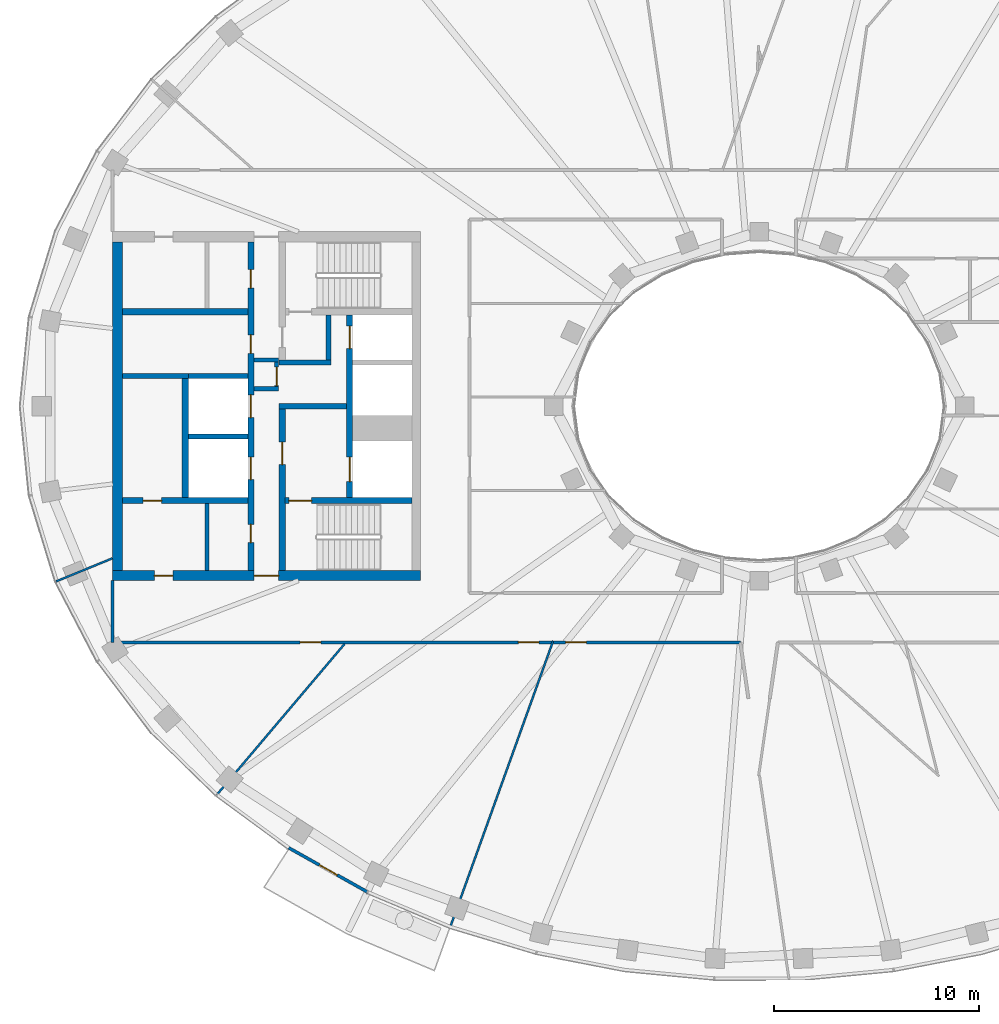
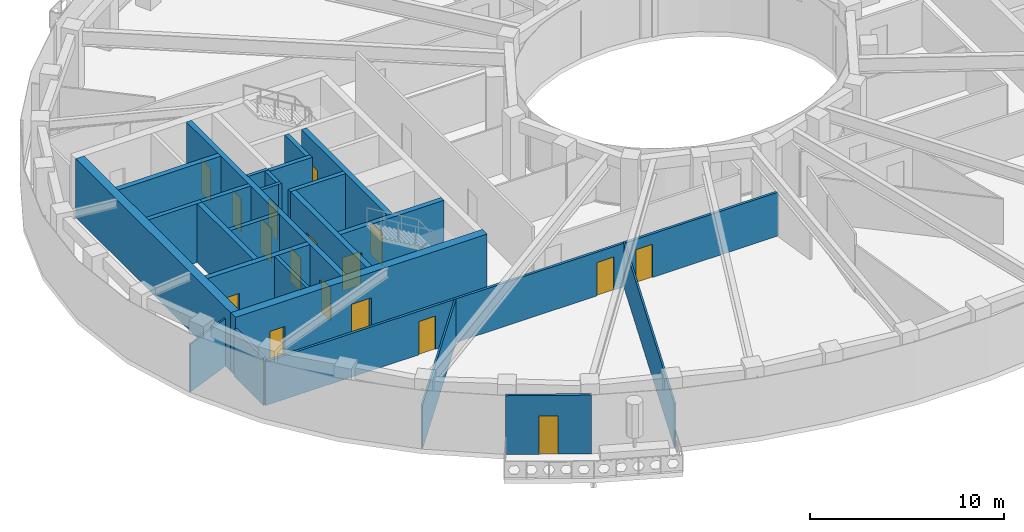
# One storey, part 3 of 15: 26 walls, 17 doors, 17 openings.
"""IFC4 building model written with IfcOpenShell, lengths in metres."""

from ifc_helpers import new_model, si_unit, direction, frame, frame_2d, origin, place, context, subcontext, project, spatial, rectangle, extrude, material, layer, layer_set, type_object, element, fill, save


model = new_model("IFC4")

# Units and contexts
model_context = context("Model", 3, precision=1e-05, world=origin(), true_north=direction((0.0, 1.0)))
body_context = subcontext(model_context, "Body", "Model", "MODEL_VIEW")
ifc_project = project(units=[si_unit("LENGTHUNIT", "METRE"), si_unit("AREAUNIT", "SQUARE_METRE"), si_unit("VOLUMEUNIT", "CUBIC_METRE"), si_unit("PLANEANGLEUNIT", "RADIAN"), si_unit("MASSUNIT", "GRAM", prefix="KILO")], contexts=[model_context])

# Site, building, storey
site_placement = place(None, origin())
site = spatial("IfcSite", under=ifc_project, at=site_placement, CompositionType="ELEMENT")
building_placement = place(site_placement, origin())
building = spatial("IfcBuilding", under=site, at=building_placement, Name="Noorbagh Ring Tower", CompositionType="ELEMENT")
storey_placement = place(building_placement, frame((0.0, 0.0, 295.0)))
storey = spatial("IfcBuildingStorey", under=building, at=storey_placement, Name="L63", CompositionType="ELEMENT", Elevation=295.0)

# Walls
ifc_material_1 = material(Name="Gypsum board on steel studs", Category="steel")
ifc_layer_1 = layer(ifc_material_1, 0.199951171875)
ifc_layer_set_1 = layer_set([ifc_layer_1], Name="Gypsum board on steel studs")
wall_type_1 = type_object("IfcWallType", Name="CORE-PARTITION-200", PredefinedType="PARTITIONING", material=ifc_layer_set_1)
for number, where, z_axis, x_axis, name in (
    (1, (-23.39990234375, 0.85009765625, 0.0), (0.0, 0.0, 1.0), (-1.0, 0.0, 0.0), "Core partition W"),
    (2, (-23.39990234375, 2.25, 0.0), (0.0, 0.0, 1.0), (-1.0, 0.0, 0.0), "Core partition W"),
):
    element("IfcWall", number, at=place(storey_placement, frame(where, z_axis=z_axis, x_axis=x_axis)), inside=storey, type_object=wall_type_1, Name=name, PredefinedType="PARTITIONING", context=body_context, shape_type="SweptSolid", body=[
        extrude(rectangle(XDim=1.2001953125, YDim=0.199951171875, at=frame_2d((0.60009765625, 0.0))), origin(), (0.0, 0.0, 1.0), 3.699951171875),
    ])

# Wall, opening, door
wall_1_placement = place(storey_placement, frame((-23.5, 0.75, 0.0), z_axis=(0.0, 0.0, 1.0), x_axis=(0.0, 1.0, 0.0)))
wall_1 = element("IfcWall", 3, at=wall_1_placement, inside=storey, type_object=wall_type_1, Name="Core partition W", PredefinedType="PARTITIONING", context=body_context, shape_type="SweptSolid", body=[
    extrude(rectangle(XDim=1.60009765625, YDim=0.199951171875, at=frame_2d((0.800048828125, 0.0))), origin(), (0.0, 0.0, 1.0), 3.699951171875),
])
opening_1_placement = place(wall_1_placement, frame((0.25, 0.0, 0.0)))
opening_1 = element("IfcOpeningElement", 4, at=opening_1_placement, cuts=wall_1, Name="Opening L63-CW16", PredefinedType="OPENING", context=body_context, shape_type="SweptSolid", body=[
    extrude(rectangle(XDim=0.89990234375, YDim=2.10009765625, at=frame_2d((0.449951171875, 1.050048828125))), frame((0.0, 0.10986328125, 0.0), z_axis=(0.0, -1.0, 0.0), x_axis=(1.0, 0.0, 0.0)), (0.0, 0.0, 1.0), 0.219970703125),
])
ifc_material_2 = material(Name="Steel door leaf", Category="steel")
door_type_1 = type_object("IfcDoorType", Name="CORE-DOOR-DROOM", OperationType="SINGLE_SWING_LEFT", PredefinedType="DOOR", material=ifc_material_2)
door_1_placement = place(opening_1_placement, origin())
door_1 = element("IfcDoor", 5, at=door_1_placement, inside=storey, type_object=door_type_1, Name="Core room door L63-CW16", OperationType="SINGLE_SWING_RIGHT", OverallHeight=2.10009765625, OverallWidth=0.89990234375, PredefinedType="DOOR", context=body_context, shape_type="SweptSolid", body=[
    extrude(rectangle(XDim=0.89990234375, YDim=2.10009765625, at=frame_2d((0.449951171875, 1.050048828125))), frame((0.0, 0.02490234375, 0.0), z_axis=(0.0, -1.0, 0.0), x_axis=(1.0, 0.0, 0.0)), (0.0, 0.0, 1.0), 0.050048828125),
])
fill(opening_1, door_1)

# Walls
wall_2_placement = place(storey_placement, frame((-26.89990234375, -8.0, 0.0), z_axis=(0.0, 0.0, 1.0), x_axis=(0.0, 1.0, 0.0)))
element("IfcWall", 6, at=wall_2_placement, inside=storey, type_object=wall_type_1, Name="Core partition W", PredefinedType="PARTITIONING", context=body_context, shape_type="SweptSolid", body=[
    extrude(rectangle(XDim=3.25, YDim=0.199951171875, at=frame_2d((1.625, 0.0))), origin(), (0.0, 0.0, 1.0), 3.699951171875),
])
ifc_material_3 = material(Name="Concrete C50/60", Category="concrete")
ifc_layer_2 = layer(ifc_material_3, 0.25)
ifc_layer_set_2 = layer_set([ifc_layer_2], Name="Concrete C50/60")
wall_type_2 = type_object("IfcWallType", Name="CORE-WALL-250-C50-60-EI120", PredefinedType="SHEAR", material=ifc_layer_set_2)
wall_3_placement = place(storey_placement, frame((-27.800048828125, 1.47509765625, 0.0), z_axis=(0.0, 0.0, 1.0), x_axis=(-1.0, 0.0, 0.0)))
element("IfcWall", 7, at=wall_3_placement, inside=storey, type_object=wall_type_2, Name="Core wall W", PredefinedType="SHEAR", context=body_context, shape_type="SweptSolid", body=[
    extrude(rectangle(XDim=3.199951171875, YDim=0.25, at=frame_2d((1.60009765625, 0.0))), origin(), (0.0, 0.0, 1.0), 3.699951171875),
])
for number, where, z_axis, x_axis, name in (
    (8, (-24.89990234375, -1.47509765625, 0.0), (0.0, 0.0, 1.0), (-1.0, 0.0, 0.0), "Core wall W"),
    (9, (-24.89990234375, 1.47509765625, 0.0), (0.0, 0.0, 1.0), (-1.0, 0.0, 0.0), "Core wall W"),
):
    element("IfcWall", number, at=place(storey_placement, frame(where, z_axis=z_axis, x_axis=x_axis)), inside=storey, type_object=wall_type_2, Name=name, PredefinedType="SHEAR", context=body_context, shape_type="SweptSolid", body=[
        extrude(rectangle(XDim=2.900146484375, YDim=0.25, at=frame_2d((1.4501953125, 0.0))), origin(), (0.0, 0.0, 1.0), 3.699951171875),
    ])
ifc_material_4 = material(Name="Concrete C50/60", Category="concrete")
ifc_layer_3 = layer(ifc_material_4, 0.25)
ifc_layer_set_3 = layer_set([ifc_layer_3], Name="Concrete C50/60")
wall_type_3 = type_object("IfcWallType", Name="CORE-WALL-250-C50-60-EI240", PredefinedType="SHEAR", material=ifc_layer_set_3)
wall_4_placement = place(storey_placement, frame((-20.10009765625, 0.0, 0.0), z_axis=(0.0, 0.0, 1.0), x_axis=(-1.0, 0.0, 0.0)))
element("IfcWall", 10, at=wall_4_placement, inside=storey, type_object=wall_type_3, Name="Core wall W", PredefinedType="SHEAR", context=body_context, shape_type="SweptSolid", body=[
    extrude(rectangle(XDim=3.27978515625, YDim=0.25, at=frame_2d((1.639892578125, 0.0))), origin(), (0.0, 0.0, 1.0), 3.699951171875),
])
wall_5_placement = place(storey_placement, frame((-20.85009765625, 2.125, 0.0), z_axis=(0.0, 0.0, 1.0), x_axis=(-1.0, 0.0, 0.0)))
element("IfcWall", 11, at=wall_5_placement, inside=storey, type_object=wall_type_3, Name="Core wall W", PredefinedType="SHEAR", context=body_context, shape_type="SweptSolid", body=[
    extrude(rectangle(XDim=2.52978515625, YDim=0.25, at=frame_2d((1.264892578125, 0.0))), origin(), (0.0, 0.0, 1.0), 3.699951171875),
])
wall_6_placement = place(storey_placement, frame((-20.97509765625, 2.25, 0.0), z_axis=(0.0, 0.0, 1.0), x_axis=(0.0, 1.0, 0.0)))
element("IfcWall", 12, at=wall_6_placement, inside=storey, type_object=wall_type_3, Name="Core wall W", PredefinedType="SHEAR", context=body_context, shape_type="SweptSolid", body=[
    extrude(rectangle(XDim=2.199951171875, YDim=0.25, at=frame_2d((1.10009765625, 0.0))), origin(), (0.0, 0.0, 1.0), 3.699951171875),
])
ifc_material_5 = material(Name="Concrete C50/60", Category="concrete")
ifc_layer_4 = layer(ifc_material_5, 0.300048828125)
ifc_layer_set_4 = layer_set([ifc_layer_4], Name="Concrete C50/60")
wall_type_4 = type_object("IfcWallType", Name="CORE-WALL-300-C50-60-EI120", PredefinedType="SHEAR", material=ifc_layer_set_4)
wall_7_placement = place(storey_placement, frame((-27.949951171875, -4.449951171875, 0.0), z_axis=(0.0, 0.0, 1.0), x_axis=(0.0, 1.0, 0.0)))
element("IfcWall", 13, at=wall_7_placement, inside=storey, type_object=wall_type_4, Name="Core wall W", PredefinedType="SHEAR", context=body_context, shape_type="SweptSolid", body=[
    extrude(rectangle(XDim=5.800048828125, YDim=0.300048828125, at=frame_2d((2.89990234375, 0.0))), origin(), (0.0, 0.0, 1.0), 3.699951171875),
])

# Wall, openings, doors
wall_8_placement = place(storey_placement, frame((-19.949951171875, -4.449951171875, 0.0), z_axis=(0.0, 0.0, 1.0), x_axis=(0.0, 1.0, 0.0)))
wall_8 = element("IfcWall", 14, at=wall_8_placement, inside=storey, type_object=wall_type_4, Name="Core wall W", PredefinedType="SHEAR", context=body_context, shape_type="SweptSolid", body=[
    extrude(rectangle(XDim=8.89990234375, YDim=0.300048828125, at=frame_2d((4.449951171875, 0.0))), origin(), (0.0, 0.0, 1.0), 3.699951171875),
])
opening_2_placement = place(wall_8_placement, frame((0.77490234375, 0.0, 0.0)))
opening_2 = element("IfcOpeningElement", 15, at=opening_2_placement, cuts=wall_8, Name="Opening L63-CW01", PredefinedType="OPENING", context=body_context, shape_type="SweptSolid", body=[
    extrude(rectangle(XDim=1.199951171875, YDim=2.10009765625, at=frame_2d((0.60009765625, 1.050048828125))), frame((0.0, 0.16015625, 0.0), z_axis=(0.0, -1.0, 0.0), x_axis=(1.0, 0.0, 0.0)), (0.0, 0.0, 1.0), 0.320068359375),
])
opening_3_placement = place(wall_8_placement, frame((7.25, 0.0, 0.0)))
opening_3 = element("IfcOpeningElement", 16, at=opening_3_placement, cuts=wall_8, Name="Opening L63-CW02", PredefinedType="OPENING", context=body_context, shape_type="SweptSolid", body=[
    extrude(rectangle(XDim=1.10009765625, YDim=2.10009765625, at=frame_2d((0.550048828125, 1.050048828125))), frame((0.0, 0.16015625, 0.0), z_axis=(0.0, -1.0, 0.0), x_axis=(1.0, 0.0, 0.0)), (0.0, 0.0, 1.0), 0.320068359375),
])
ifc_material_6 = material(Name="Steel door leaf", Category="steel")
door_type_2 = type_object("IfcDoorType", Name="CORE-DOOR-LD", OperationType="DOUBLE_DOOR_SLIDING", PredefinedType="DOOR", material=ifc_material_6)
door_2_placement = place(opening_3_placement, origin())
door_2 = element("IfcDoor", 17, at=door_2_placement, inside=storey, type_object=door_type_2, Name="Landing door HR1 L63-CW02", OperationType="DOUBLE_DOOR_SLIDING", OverallHeight=2.10009765625, OverallWidth=1.10009765625, PredefinedType="DOOR", context=body_context, shape_type="SweptSolid", body=[
    extrude(rectangle(XDim=1.10009765625, YDim=2.10009765625, at=frame_2d((0.550048828125, 1.050048828125))), frame((0.0, 0.02490234375, 0.0), z_axis=(0.0, -1.0, 0.0), x_axis=(1.0, 0.0, 0.0)), (0.0, 0.0, 1.0), 0.050048828125),
])
fill(opening_3, door_2)
ifc_material_7 = material(Name="Steel door leaf", Category="steel")
door_type_3 = type_object("IfcDoorType", Name="CORE-DOOR-LDW", OperationType="DOUBLE_DOOR_SLIDING", PredefinedType="DOOR", material=ifc_material_7)
door_3_placement = place(opening_2_placement, origin())
door_3 = element("IfcDoor", 18, at=door_3_placement, inside=storey, type_object=door_type_3, Name="Landing door FF1 L63-CW01", OperationType="DOUBLE_DOOR_SLIDING", OverallHeight=2.10009765625, OverallWidth=1.199951171875, PredefinedType="DOOR", context=body_context, shape_type="SweptSolid", body=[
    extrude(rectangle(XDim=1.199951171875, YDim=2.10009765625, at=frame_2d((0.60009765625, 1.050048828125))), frame((0.0, 0.02490234375, 0.0), z_axis=(0.0, -1.0, 0.0), x_axis=(1.0, 0.0, 0.0)), (0.0, 0.0, 1.0), 0.050048828125),
])
fill(opening_2, door_3)

wall_9_placement = place(storey_placement, frame((-24.75, -8.0, 0.0), z_axis=(0.0, 0.0, 1.0), x_axis=(0.0, 1.0, 0.0)))
wall_9 = element("IfcWall", 19, at=wall_9_placement, inside=storey, type_object=wall_type_4, Name="Core wall W", PredefinedType="SHEAR", context=body_context, shape_type="SweptSolid", body=[
    extrude(rectangle(XDim=16.0, YDim=0.300048828125, at=frame_2d((8.0, 0.0))), origin(), (0.0, 0.0, 1.0), 3.699951171875),
])
opening_4_placement = place(wall_9_placement, frame((4.425048828125, 0.0, 0.0)))
opening_4 = element("IfcOpeningElement", 20, at=opening_4_placement, cuts=wall_9, Name="Opening L63-CW03", PredefinedType="OPENING", context=body_context, shape_type="SweptSolid", body=[
    extrude(rectangle(XDim=1.10009765625, YDim=2.10009765625, at=frame_2d((0.550048828125, 1.050048828125))), frame((0.0, 0.16015625, 0.0), z_axis=(0.0, -1.0, 0.0), x_axis=(1.0, 0.0, 0.0)), (0.0, 0.0, 1.0), 0.320068359375),
])
opening_5_placement = place(wall_9_placement, frame((7.449951171875, 0.0, 0.0)))
opening_5 = element("IfcOpeningElement", 21, at=opening_5_placement, cuts=wall_9, Name="Opening L63-CW04", PredefinedType="OPENING", context=body_context, shape_type="SweptSolid", body=[
    extrude(rectangle(XDim=1.10009765625, YDim=2.10009765625, at=frame_2d((0.550048828125, 1.050048828125))), frame((0.0, 0.16015625, 0.0), z_axis=(0.0, -1.0, 0.0), x_axis=(1.0, 0.0, 0.0)), (0.0, 0.0, 1.0), 0.320068359375),
])
opening_6_placement = place(wall_9_placement, frame((10.574951171875, 0.0, 0.0)))
opening_6 = element("IfcOpeningElement", 22, at=opening_6_placement, cuts=wall_9, Name="Opening L63-CW11", PredefinedType="OPENING", context=body_context, shape_type="SweptSolid", body=[
    extrude(rectangle(XDim=0.89990234375, YDim=2.10009765625, at=frame_2d((0.449951171875, 1.050048828125))), frame((0.0, 0.16015625, 0.0), z_axis=(0.0, -1.0, 0.0), x_axis=(1.0, 0.0, 0.0)), (0.0, 0.0, 1.0), 0.320068359375),
])
opening_7_placement = place(wall_9_placement, frame((13.75, 0.0, 0.0)))
opening_7 = element("IfcOpeningElement", 23, at=opening_7_placement, cuts=wall_9, Name="Opening L63-CW12", PredefinedType="OPENING", context=body_context, shape_type="SweptSolid", body=[
    extrude(rectangle(XDim=0.89990234375, YDim=2.10009765625, at=frame_2d((0.449951171875, 1.050048828125))), frame((0.0, 0.16015625, 0.0), z_axis=(0.0, -1.0, 0.0), x_axis=(1.0, 0.0, 0.0)), (0.0, 0.0, 1.0), 0.320068359375),
])
opening_8_placement = place(wall_9_placement, frame((1.35009765625, 0.0, 0.0)))
opening_8 = element("IfcOpeningElement", 24, at=opening_8_placement, cuts=wall_9, Name="Opening L63-CW14", PredefinedType="OPENING", context=body_context, shape_type="SweptSolid", body=[
    extrude(rectangle(XDim=0.89990234375, YDim=2.10009765625, at=frame_2d((0.449951171875, 1.050048828125))), frame((0.0, 0.16015625, 0.0), z_axis=(0.0, -1.0, 0.0), x_axis=(1.0, 0.0, 0.0)), (0.0, 0.0, 1.0), 0.320068359375),
])
door_4_placement = place(opening_6_placement, origin())
door_4 = element("IfcDoor", 25, at=door_4_placement, inside=storey, type_object=door_type_1, Name="Core room door L63-CW11", OperationType="SINGLE_SWING_RIGHT", OverallHeight=2.10009765625, OverallWidth=0.89990234375, PredefinedType="DOOR", context=body_context, shape_type="SweptSolid", body=[
    extrude(rectangle(XDim=0.89990234375, YDim=2.10009765625, at=frame_2d((0.449951171875, 1.050048828125))), frame((0.0, 0.02490234375, 0.0), z_axis=(0.0, -1.0, 0.0), x_axis=(1.0, 0.0, 0.0)), (0.0, 0.0, 1.0), 0.050048828125),
])
fill(opening_6, door_4)
door_5_placement = place(opening_7_placement, origin())
door_5 = element("IfcDoor", 26, at=door_5_placement, inside=storey, type_object=door_type_1, Name="Core room door L63-CW12", OperationType="SINGLE_SWING_RIGHT", OverallHeight=2.10009765625, OverallWidth=0.89990234375, PredefinedType="DOOR", context=body_context, shape_type="SweptSolid", body=[
    extrude(rectangle(XDim=0.89990234375, YDim=2.10009765625, at=frame_2d((0.449951171875, 1.050048828125))), frame((0.0, 0.02490234375, 0.0), z_axis=(0.0, -1.0, 0.0), x_axis=(1.0, 0.0, 0.0)), (0.0, 0.0, 1.0), 0.050048828125),
])
fill(opening_7, door_5)
door_6_placement = place(opening_8_placement, origin())
door_6 = element("IfcDoor", 27, at=door_6_placement, inside=storey, type_object=door_type_1, Name="Core room door L63-CW14", OperationType="SINGLE_SWING_LEFT", OverallHeight=2.10009765625, OverallWidth=0.89990234375, PredefinedType="DOOR", context=body_context, shape_type="SweptSolid", body=[
    extrude(rectangle(XDim=0.89990234375, YDim=2.10009765625, at=frame_2d((0.449951171875, 1.050048828125))), frame((0.0, 0.02490234375, 0.0), z_axis=(0.0, -1.0, 0.0), x_axis=(1.0, 0.0, 0.0)), (0.0, 0.0, 1.0), 0.050048828125),
])
fill(opening_8, door_6)
door_7_placement = place(opening_4_placement, origin())
door_7 = element("IfcDoor", 28, at=door_7_placement, inside=storey, type_object=door_type_2, Name="Landing door HR5 L63-CW03", OperationType="DOUBLE_DOOR_SLIDING", OverallHeight=2.10009765625, OverallWidth=1.10009765625, PredefinedType="DOOR", context=body_context, shape_type="SweptSolid", body=[
    extrude(rectangle(XDim=1.10009765625, YDim=2.10009765625, at=frame_2d((0.550048828125, 1.050048828125))), frame((0.0, 0.02490234375, 0.0), z_axis=(0.0, -1.0, 0.0), x_axis=(1.0, 0.0, 0.0)), (0.0, 0.0, 1.0), 0.050048828125),
])
fill(opening_4, door_7)
door_8_placement = place(opening_5_placement, origin())
door_8 = element("IfcDoor", 29, at=door_8_placement, inside=storey, type_object=door_type_2, Name="Landing door HR6 L63-CW04", OperationType="DOUBLE_DOOR_SLIDING", OverallHeight=2.10009765625, OverallWidth=1.10009765625, PredefinedType="DOOR", context=body_context, shape_type="SweptSolid", body=[
    extrude(rectangle(XDim=1.10009765625, YDim=2.10009765625, at=frame_2d((0.550048828125, 1.050048828125))), frame((0.0, 0.02490234375, 0.0), z_axis=(0.0, -1.0, 0.0), x_axis=(1.0, 0.0, 0.0)), (0.0, 0.0, 1.0), 0.050048828125),
])
fill(opening_5, door_8)

# Wall
ifc_material_8 = material(Name="Concrete C50/60", Category="concrete")
ifc_layer_5 = layer(ifc_material_8, 0.300048828125)
ifc_layer_set_5 = layer_set([ifc_layer_5], Name="Concrete C50/60")
wall_type_5 = type_object("IfcWallType", Name="CORE-WALL-300-C50-60-EI240", PredefinedType="SHEAR", material=ifc_layer_set_5)
wall_10_placement = place(storey_placement, frame((-24.89990234375, 4.60009765625, 0.0), z_axis=(0.0, 0.0, 1.0), x_axis=(-1.0, 0.0, 0.0)))
element("IfcWall", 30, at=wall_10_placement, inside=storey, type_object=wall_type_5, Name="Core wall W", PredefinedType="SHEAR", context=body_context, shape_type="SweptSolid", body=[
    extrude(rectangle(XDim=6.10009765625, YDim=0.300048828125, at=frame_2d((3.050048828125, 0.0))), origin(), (0.0, 0.0, 1.0), 3.699951171875),
])

# Wall, opening, door
wall_11_placement = place(storey_placement, frame((-24.89990234375, -4.60009765625, 0.0), z_axis=(0.0, 0.0, 1.0), x_axis=(-1.0, 0.0, 0.0)))
wall_11 = element("IfcWall", 31, at=wall_11_placement, inside=storey, type_object=wall_type_5, Name="Core wall W", PredefinedType="SHEAR", context=body_context, shape_type="SweptSolid", body=[
    extrude(rectangle(XDim=6.10009765625, YDim=0.300048828125, at=frame_2d((3.050048828125, 0.0))), origin(), (0.0, 0.0, 1.0), 3.699951171875),
])
opening_9_placement = place(wall_11_placement, frame((4.199951171875, 0.0, 0.0)))
opening_9 = element("IfcOpeningElement", 32, at=opening_9_placement, cuts=wall_11, Name="Opening L63-CW17", PredefinedType="OPENING", context=body_context, shape_type="SweptSolid", body=[
    extrude(rectangle(XDim=0.89990234375, YDim=2.10009765625, at=frame_2d((0.449951171875, 1.050048828125))), frame((0.0, 0.16015625, 0.0), z_axis=(0.0, -1.0, 0.0), x_axis=(1.0, 0.0, 0.0)), (0.0, 0.0, 1.0), 0.320068359375),
])
door_9_placement = place(opening_9_placement, origin())
door_9 = element("IfcDoor", 33, at=door_9_placement, inside=storey, type_object=door_type_1, Name="Core room door L63-CW17", OperationType="SINGLE_SWING_RIGHT", OverallHeight=2.10009765625, OverallWidth=0.89990234375, PredefinedType="DOOR", context=body_context, shape_type="SweptSolid", body=[
    extrude(rectangle(XDim=0.89990234375, YDim=2.10009765625, at=frame_2d((0.449951171875, 1.050048828125))), frame((0.0, 0.02490234375, 0.0), z_axis=(0.0, -1.0, 0.0), x_axis=(1.0, 0.0, 0.0)), (0.0, 0.0, 1.0), 0.050048828125),
])
fill(opening_9, door_9)

wall_12_placement = place(storey_placement, frame((-23.22998046875, -8.0, 0.0), z_axis=(0.0, 0.0, 1.0), x_axis=(0.0, 1.0, 0.0)))
wall_12 = element("IfcWall", 34, at=wall_12_placement, inside=storey, type_object=wall_type_5, Name="Core wall W", PredefinedType="SHEAR", context=body_context, shape_type="SweptSolid", body=[
    extrude(rectangle(XDim=7.875, YDim=0.300048828125, at=frame_2d((3.9375, 0.0))), origin(), (0.0, 0.0, 1.0), 3.699951171875),
])
opening_10_placement = place(wall_12_placement, frame((5.14990234375, 0.0, 0.0)))
opening_10 = element("IfcOpeningElement", 35, at=opening_10_placement, cuts=wall_12, Name="Opening L63-CW07", PredefinedType="OPENING", context=body_context, shape_type="SweptSolid", body=[
    extrude(rectangle(XDim=1.10009765625, YDim=2.10009765625, at=frame_2d((0.550048828125, 1.050048828125))), frame((0.0, 0.16015625, 0.0), z_axis=(0.0, -1.0, 0.0), x_axis=(1.0, 0.0, 0.0)), (0.0, 0.0, 1.0), 0.320068359375),
])
ifc_material_9 = material(Name="Steel door leaf", Category="steel")
door_type_4 = type_object("IfcDoorType", Name="CORE-DOOR-DFF", OperationType="SINGLE_SWING_LEFT", PredefinedType="DOOR", material=ifc_material_9)
door_10_placement = place(opening_10_placement, origin())
door_10 = element("IfcDoor", 36, at=door_10_placement, inside=storey, type_object=door_type_4, Name="Firefighting lobby door L63-CW07", OperationType="SINGLE_SWING_LEFT", OverallHeight=2.10009765625, OverallWidth=1.10009765625, PredefinedType="DOOR", context=body_context, shape_type="SweptSolid", body=[
    extrude(rectangle(XDim=1.10009765625, YDim=2.10009765625, at=frame_2d((0.550048828125, 1.050048828125))), frame((0.0, 0.02490234375, 0.0), z_axis=(0.0, -1.0, 0.0), x_axis=(1.0, 0.0, 0.0)), (0.0, 0.0, 1.0), 0.050048828125),
])
fill(opening_10, door_10)

wall_13_placement = place(storey_placement, frame((-16.89990234375, -4.60009765625, 0.0), z_axis=(0.0, 0.0, 1.0), x_axis=(-1.0, 0.0, 0.0)))
wall_13 = element("IfcWall", 37, at=wall_13_placement, inside=storey, type_object=wall_type_5, Name="Core wall W", PredefinedType="SHEAR", context=body_context, shape_type="SweptSolid", body=[
    extrude(rectangle(XDim=6.18017578125, YDim=0.300048828125, at=frame_2d((3.090087890625, 0.0))), origin(), (0.0, 0.0, 1.0), 3.699951171875),
])
opening_11_placement = place(wall_13_placement, frame((4.89990234375, 0.0, 0.0)))
opening_11 = element("IfcOpeningElement", 38, at=opening_11_placement, cuts=wall_13, Name="Opening L63-CW06", PredefinedType="OPENING", context=body_context, shape_type="SweptSolid", body=[
    extrude(rectangle(XDim=1.10009765625, YDim=2.10009765625, at=frame_2d((0.550048828125, 1.050048828125))), frame((0.0, 0.16015625, 0.0), z_axis=(0.0, -1.0, 0.0), x_axis=(1.0, 0.0, 0.0)), (0.0, 0.0, 1.0), 0.320068359375),
])
ifc_material_10 = material(Name="Steel door leaf", Category="steel")
door_type_5 = type_object("IfcDoorType", Name="CORE-DOOR-DSTAIR", OperationType="SINGLE_SWING_LEFT", PredefinedType="DOOR", material=ifc_material_10)
door_11_placement = place(opening_11_placement, origin())
door_11 = element("IfcDoor", 39, at=door_11_placement, inside=storey, type_object=door_type_5, Name="Stair door ST2 L63-CW06", OperationType="SINGLE_SWING_LEFT", OverallHeight=2.10009765625, OverallWidth=1.10009765625, PredefinedType="DOOR", context=body_context, shape_type="SweptSolid", body=[
    extrude(rectangle(XDim=1.10009765625, YDim=2.10009765625, at=frame_2d((0.550048828125, 1.050048828125))), frame((0.0, 0.02490234375, 0.0), z_axis=(0.0, -1.0, 0.0), x_axis=(1.0, 0.0, 0.0)), (0.0, 0.0, 1.0), 0.050048828125),
])
fill(opening_11, door_11)

# Wall, openings, doors
ifc_material_11 = material(Name="Concrete C50/60", Category="concrete")
ifc_layer_6 = layer(ifc_material_11, 0.5)
ifc_layer_set_6 = layer_set([ifc_layer_6], Name="Concrete C50/60")
wall_type_6 = type_object("IfcWallType", Name="CORE-WALL-500-C50-60-EI240", PredefinedType="SHEAR", material=ifc_layer_set_6)
wall_14_placement = place(storey_placement, frame((-16.5, -8.25, 0.0), z_axis=(0.0, 0.0, 1.0), x_axis=(-1.0, 0.0, 0.0)))
wall_14 = element("IfcWall", 40, at=wall_14_placement, inside=storey, type_object=wall_type_6, Name="Core wall W", PredefinedType="SHEAR", context=body_context, shape_type="SweptSolid", body=[
    extrude(rectangle(XDim=15.0, YDim=0.5, at=frame_2d((7.5, 0.0))), origin(), (0.0, 0.0, 1.0), 3.699951171875),
])
opening_12_placement = place(wall_14_placement, frame((6.89990234375, 0.0, 0.0)))
opening_12 = element("IfcOpeningElement", 41, at=opening_12_placement, cuts=wall_14, Name="Opening L63-CW10", PredefinedType="OPENING", context=body_context, shape_type="SweptSolid", body=[
    extrude(rectangle(XDim=1.199951171875, YDim=2.10009765625, at=frame_2d((0.60009765625, 1.050048828125))), frame((0.0, 0.260009765625, 0.0), z_axis=(0.0, -1.0, 0.0), x_axis=(1.0, 0.0, 0.0)), (0.0, 0.0, 1.0), 0.52001953125),
])
opening_13_placement = place(wall_14_placement, frame((12.050048828125, 0.0, 0.0)))
opening_13 = element("IfcOpeningElement", 42, at=opening_13_placement, cuts=wall_14, Name="Opening L63-CW15", PredefinedType="OPENING", context=body_context, shape_type="SweptSolid", body=[
    extrude(rectangle(XDim=0.89990234375, YDim=2.10009765625, at=frame_2d((0.449951171875, 1.050048828125))), frame((0.0, 0.260009765625, 0.0), z_axis=(0.0, -1.0, 0.0), x_axis=(1.0, 0.0, 0.0)), (0.0, 0.0, 1.0), 0.52001953125),
])
door_12_placement = place(opening_13_placement, origin())
door_12 = element("IfcDoor", 43, at=door_12_placement, inside=storey, type_object=door_type_1, Name="Core room door L63-CW15", OperationType="SINGLE_SWING_LEFT", OverallHeight=2.10009765625, OverallWidth=0.89990234375, PredefinedType="DOOR", context=body_context, shape_type="SweptSolid", body=[
    extrude(rectangle(XDim=0.89990234375, YDim=2.10009765625, at=frame_2d((0.449951171875, 1.050048828125))), frame((0.0, 0.02490234375, 0.0), z_axis=(0.0, -1.0, 0.0), x_axis=(1.0, 0.0, 0.0)), (0.0, 0.0, 1.0), 0.050048828125),
])
fill(opening_13, door_12)
ifc_material_12 = material(Name="Steel door leaf", Category="steel")
door_type_6 = type_object("IfcDoorType", Name="CORE-DOOR-PORT", OperationType="DOUBLE_DOOR_DOUBLE_SWING", PredefinedType="DOOR", material=ifc_material_12)
door_13_placement = place(opening_12_placement, origin())
door_13 = element("IfcDoor", 44, at=door_13_placement, inside=storey, type_object=door_type_6, Name="Core entrance door L63-CW10", OperationType="DOUBLE_DOOR_DOUBLE_SWING", OverallHeight=2.10009765625, OverallWidth=1.199951171875, PredefinedType="DOOR", context=body_context, shape_type="SweptSolid", body=[
    extrude(rectangle(XDim=1.199951171875, YDim=2.10009765625, at=frame_2d((0.60009765625, 1.050048828125))), frame((0.0, 0.02490234375, 0.0), z_axis=(0.0, -1.0, 0.0), x_axis=(1.0, 0.0, 0.0)), (0.0, 0.0, 1.0), 0.050048828125),
])
fill(opening_12, door_13)

# Walls
wall_15_placement = place(storey_placement, frame((-31.25, -8.0, 0.0), z_axis=(0.0, 0.0, 1.0), x_axis=(0.0, 1.0, 0.0)))
element("IfcWall", 45, at=wall_15_placement, inside=storey, type_object=wall_type_6, Name="Core wall W", PredefinedType="SHEAR", context=body_context, shape_type="SweptSolid", body=[
    extrude(rectangle(XDim=16.0, YDim=0.5, at=frame_2d((8.0, 0.0))), origin(), (0.0, 0.0, 1.0), 3.699951171875),
])
ifc_material_13 = material(Name="Gypsum board on steel studs", Category="steel")
ifc_layer_7 = layer(ifc_material_13, 0.14990234375)
ifc_layer_set_7 = layer_set([ifc_layer_7], Name="Gypsum board on steel studs")
wall_type_7 = type_object("IfcWallType", Name="CORRIDOR PARTITION 150 EI 30", PredefinedType="PARTITIONING", material=ifc_layer_set_7)
wall_16_placement = place(storey_placement, frame((-31.5, -11.5, 0.0), z_axis=(0.0, 0.0, 1.0), x_axis=(0.0, 1.0, 0.0)))
element("IfcWall", 46, at=wall_16_placement, inside=storey, type_object=wall_type_7, Name="L63/wall/P02", PredefinedType="PARTITIONING", context=body_context, shape_type="SweptSolid", body=[
    extrude(rectangle(XDim=3.0, YDim=0.14990234375, at=frame_2d((1.5, 0.0))), origin(), (0.0, 0.0, 1.0), 3.0),
])

# Wall, openings, doors
wall_17_placement = place(storey_placement, frame((-31.5, -11.5, 0.0), z_axis=(0.0, 0.0, 1.0), x_axis=(1.0, 0.0, 0.0)))
wall_17 = element("IfcWall", 47, at=wall_17_placement, inside=storey, type_object=wall_type_7, Name="L63/wall/P03", PredefinedType="PARTITIONING", context=body_context, shape_type="SweptSolid", body=[
    extrude(rectangle(XDim=21.431884765625, YDim=0.14990234375, at=frame_2d((10.7158203125, 0.0))), origin(), (0.0, 0.0, 1.0), 2.75),
])
opening_14_placement = place(wall_17_placement, frame((9.14990234375, 0.0, 0.0)))
opening_14 = element("IfcOpeningElement", 48, at=opening_14_placement, cuts=wall_17, Name="Opening D1", PredefinedType="OPENING", context=body_context, shape_type="SweptSolid", body=[
    extrude(rectangle(XDim=1.0, YDim=2.10009765625, at=frame_2d((0.5, 1.050048828125))), frame((0.0, 0.0849609375, 0.0), z_axis=(0.0, -1.0, 0.0), x_axis=(1.0, 0.0, 0.0)), (0.0, 0.0, 1.0), 0.169921875),
])
opening_15_placement = place(wall_17_placement, frame((19.77099609375, 0.0, 0.0)))
opening_15 = element("IfcOpeningElement", 49, at=opening_15_placement, cuts=wall_17, Name="Opening D1", PredefinedType="OPENING", context=body_context, shape_type="SweptSolid", body=[
    extrude(rectangle(XDim=1.0, YDim=2.10009765625, at=frame_2d((0.5, 1.050048828125))), frame((0.0, 0.0849609375, 0.0), z_axis=(0.0, -1.0, 0.0), x_axis=(1.0, 0.0, 0.0)), (0.0, 0.0, 1.0), 0.169921875),
])
ifc_material_14 = material(Name="Timber, painted", Category="wood")
door_type_7 = type_object("IfcDoorType", Name="DOOR 1000 X 2100 FD30", OperationType="SINGLE_SWING_LEFT", PredefinedType="DOOR", material=ifc_material_14)
door_14_placement = place(opening_14_placement, origin())
door_14 = element("IfcDoor", 50, at=door_14_placement, inside=storey, type_object=door_type_7, Name="L63-D06", OperationType="SINGLE_SWING_RIGHT", OverallHeight=2.10009765625, OverallWidth=1.0, PredefinedType="DOOR", context=body_context, shape_type="SweptSolid", body=[
    extrude(rectangle(XDim=1.0, YDim=2.10009765625, at=frame_2d((0.5, 1.050048828125))), frame((0.0, 0.02490234375, 0.0), z_axis=(0.0, -1.0, 0.0), x_axis=(1.0, 0.0, 0.0)), (0.0, 0.0, 1.0), 0.050048828125),
])
fill(opening_14, door_14)
door_15_placement = place(opening_15_placement, origin())
door_15 = element("IfcDoor", 51, at=door_15_placement, inside=storey, type_object=door_type_7, Name="L63-D08", OperationType="SINGLE_SWING_RIGHT", OverallHeight=2.10009765625, OverallWidth=1.0, PredefinedType="DOOR", context=body_context, shape_type="SweptSolid", body=[
    extrude(rectangle(XDim=1.0, YDim=2.10009765625, at=frame_2d((0.5, 1.050048828125))), frame((0.0, 0.02490234375, 0.0), z_axis=(0.0, -1.0, 0.0), x_axis=(1.0, 0.0, 0.0)), (0.0, 0.0, 1.0), 0.050048828125),
])
fill(opening_15, door_15)

# Wall, opening, door
wall_18_placement = place(storey_placement, frame((-10.0029296875, -11.5, 0.0), z_axis=(0.0, 0.0, 1.0), x_axis=(1.0, 0.0, 0.0)))
wall_18 = element("IfcWall", 52, at=wall_18_placement, inside=storey, type_object=wall_type_7, Name="L63/wall/P15", PredefinedType="PARTITIONING", context=body_context, shape_type="SweptSolid", body=[
    extrude(rectangle(XDim=9.0859375, YDim=0.14990234375, at=frame_2d((4.54296875, 0.0))), origin(), (0.0, 0.0, 1.0), 2.75),
])
opening_16_placement = place(wall_18_placement, frame((0.5849609375, 0.0, 0.0)))
opening_16 = element("IfcOpeningElement", 53, at=opening_16_placement, cuts=wall_18, Name="Opening D1", PredefinedType="OPENING", context=body_context, shape_type="SweptSolid", body=[
    extrude(rectangle(XDim=1.0, YDim=2.10009765625, at=frame_2d((0.5, 1.050048828125))), frame((0.0, 0.0849609375, 0.0), z_axis=(0.0, -1.0, 0.0), x_axis=(1.0, 0.0, 0.0)), (0.0, 0.0, 1.0), 0.169921875),
])
door_16_placement = place(opening_16_placement, origin())
door_16 = element("IfcDoor", 54, at=door_16_placement, inside=storey, type_object=door_type_7, Name="L63-D09", OperationType="SINGLE_SWING_LEFT", OverallHeight=2.10009765625, OverallWidth=1.0, PredefinedType="DOOR", context=body_context, shape_type="SweptSolid", body=[
    extrude(rectangle(XDim=1.0, YDim=2.10009765625, at=frame_2d((0.5, 1.050048828125))), frame((0.0, 0.02490234375, 0.0), z_axis=(0.0, -1.0, 0.0), x_axis=(1.0, 0.0, 0.0)), (0.0, 0.0, 1.0), 0.050048828125),
])
fill(opening_16, door_16)

ifc_material_15 = material(Name="Insulated aluminium clad panel", Category="aluminium")
ifc_layer_8 = layer(ifc_material_15, 0.14990234375)
ifc_layer_set_8 = layer_set([ifc_layer_8], Name="Insulated aluminium clad panel")
wall_type_8 = type_object("IfcWallType", Name="ENV-WALL-DOOR", PredefinedType="STANDARD", material=ifc_layer_set_8)
wall_19_placement = place(storey_placement, frame((-22.913330078125, -21.508544921875, 0.0), z_axis=(0.0, 0.0, 1.0), x_axis=(0.872046572975, -0.489422899509, 0.0)))
wall_19 = element("IfcWall", 55, at=wall_19_placement, inside=storey, type_object=wall_type_8, Name="Balcony door wall chord 30", PredefinedType="STANDARD", context=body_context, shape_type="SweptSolid", body=[
    extrude(rectangle(XDim=4.425537109375, YDim=0.14990234375, at=frame_2d((2.212890625, 0.0))), origin(), (0.0, 0.0, 1.0), 3.699951171875),
])
opening_17_placement = place(wall_19_placement, frame((1.712646484375, 0.0, 0.0)))
opening_17 = element("IfcOpeningElement", 56, at=opening_17_placement, cuts=wall_19, Name="Opening D-BL", PredefinedType="OPENING", context=body_context, shape_type="SweptSolid", body=[
    extrude(rectangle(XDim=1.0, YDim=2.39990234375, at=frame_2d((0.5, 1.199951171875))), frame((0.0, 0.0849609375, 0.0), z_axis=(0.0, -1.0, 0.0), x_axis=(1.0, 0.0, 0.0)), (0.0, 0.0, 1.0), 0.169921875),
])
ifc_material_16 = material(Name="Aluminium and glass", Category="aluminium")
door_type_8 = type_object("IfcDoorType", Name="ENV-DOOR-BALCONY", OperationType="SINGLE_SWING_LEFT", PredefinedType="DOOR", material=ifc_material_16)
door_17_placement = place(opening_17_placement, origin())
door_17 = element("IfcDoor", 57, at=door_17_placement, inside=storey, type_object=door_type_8, Name="Balcony door chord 30", OperationType="SINGLE_SWING_RIGHT", OverallHeight=2.39990234375, OverallWidth=1.0, PredefinedType="DOOR", context=body_context, shape_type="SweptSolid", body=[
    extrude(rectangle(XDim=1.0, YDim=2.39990234375, at=frame_2d((0.5, 1.199951171875))), frame((0.0, 0.02490234375, 0.0), z_axis=(0.0, -1.0, 0.0), x_axis=(1.0, 0.0, 0.0)), (0.0, 0.0, 1.0), 0.050048828125),
])
fill(opening_17, door_17)

# Walls
ifc_material_17 = material(Name="Gypsum board on steel studs", Category="steel")
ifc_layer_9 = layer(ifc_material_17, 0.10009765625)
ifc_layer_set_9 = layer_set([ifc_layer_9], Name="Gypsum board on steel studs")
wall_type_9 = type_object("IfcWallType", Name="PARTITION 100 GYPSUM", PredefinedType="PARTITIONING", material=ifc_layer_set_9)
wall_20_placement = place(storey_placement, frame((-34.23388671875, -8.530029296875, 0.0), z_axis=(0.0, 0.0, 1.0), x_axis=(0.925344112436, 0.379128307542, 0.0)))
element("IfcWall", 58, at=wall_20_placement, inside=storey, type_object=wall_type_9, Name="L63/wall/P01", PredefinedType="PARTITIONING", context=body_context, shape_type="SweptSolid", body=[
    extrude(rectangle(XDim=2.954345703125, YDim=0.10009765625, at=frame_2d((1.47705078125, 0.0))), origin(), (0.0, 0.0, 1.0), 3.0),
])
wall_21_placement = place(storey_placement, frame((-26.429931640625, -18.945068359375, 0.0), z_axis=(0.0, 0.0, 1.0), x_axis=(0.646376264927, 0.763018822926, 0.0)))
element("IfcWall", 59, at=wall_21_placement, inside=storey, type_object=wall_type_9, Name="L63/wall/P07", PredefinedType="PARTITIONING", context=body_context, shape_type="SweptSolid", body=[
    extrude(rectangle(XDim=9.6552734375, YDim=0.10009765625, at=frame_2d((4.82763671875, 0.0))), origin(), (0.0, 0.0, 1.0), 2.75),
])
wall_22_placement = place(storey_placement, frame((-15.049072265625, -25.383056640625, 0.0), z_axis=(0.0, 0.0, 1.0), x_axis=(0.338454781071, 0.94098265721, 0.0)))
element("IfcWall", 60, at=wall_22_placement, inside=storey, type_object=wall_type_9, Name="L63/wall/P08", PredefinedType="PARTITIONING", context=body_context, shape_type="SweptSolid", body=[
    extrude(rectangle(XDim=14.829345703125, YDim=0.10009765625, at=frame_2d((7.41455078125, 0.0))), origin(), (0.0, 0.0, 1.0), 2.75),
])

save(model, "model.ifc")
